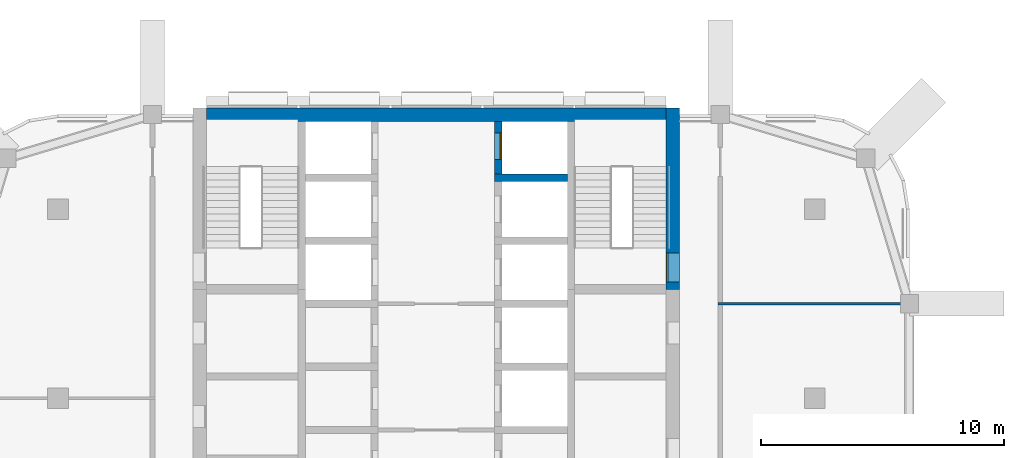
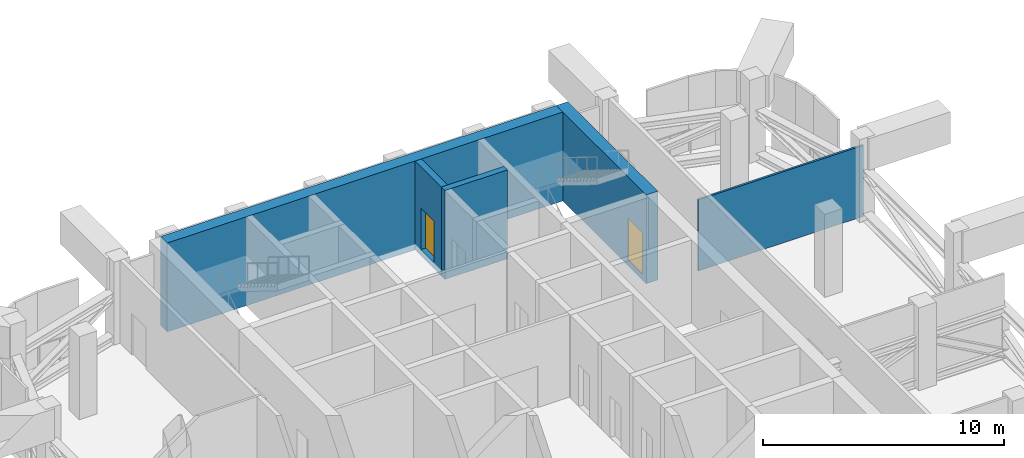
# One storey, part 8 of 13: 5 walls, 2 doors, 2 openings.
"""IFC4 building model written with IfcOpenShell, lengths in metres."""

from ifc_helpers import new_model, si_unit, direction, frame, frame_2d, origin, place, context, subcontext, project, spatial, rectangle, extrude, material, layer, layer_set, type_object, element, fill, save


model = new_model("IFC4")

# Units and contexts
model_context = context("Model", 3, precision=1e-05, world=origin(), true_north=direction((0.0, 1.0)))
body_context = subcontext(model_context, "Body", "Model", "MODEL_VIEW")
ifc_project = project(units=[si_unit("LENGTHUNIT", "METRE"), si_unit("AREAUNIT", "SQUARE_METRE"), si_unit("VOLUMEUNIT", "CUBIC_METRE"), si_unit("PLANEANGLEUNIT", "RADIAN"), si_unit("MASSUNIT", "GRAM", prefix="KILO")], contexts=[model_context])

# Site, building, storey
site_placement = place(None, origin())
site = spatial("IfcSite", under=ifc_project, at=site_placement, CompositionType="ELEMENT")
building_placement = place(site_placement, origin())
building = spatial("IfcBuilding", under=site, at=building_placement, Name="Ludao Terraces", CompositionType="ELEMENT")
storey_placement = place(building_placement, frame((0.0, 0.0, 192.800048828125)))
storey = spatial("IfcBuildingStorey", under=building, at=storey_placement, Name="L52", CompositionType="ELEMENT", Elevation=192.800048828125)

# Wall, opening, door
ifc_material_1 = material(Name="Concrete C60", Category="concrete")
ifc_layer_1 = layer(ifc_material_1, 0.550048828125)
ifc_layer_set_1 = layer_set([ifc_layer_1], Name="Core wall 550 C60")
wall_type_1 = type_object("IfcWallType", Name="Core wall 550 C60", PredefinedType="SOLIDWALL", material=ifc_layer_set_1)
wall_1_placement = place(storey_placement, frame((94.75, 77.300048828125, -0.300048828125), z_axis=(0.0, 0.0, 1.0), x_axis=(0.0, 1.0, 0.0)))
wall_1 = element("IfcWall", 1, at=wall_1_placement, inside=storey, type_object=wall_type_1, Name="Core wall L52 outer-E-S2", PredefinedType="SOLIDWALL", context=body_context, shape_type="SweptSolid", body=[
    extrude(rectangle(XDim=7.474853515625, YDim=0.550048828125, at=frame_2d((3.7373046875, 0.0))), origin(), (0.0, 0.0, 1.0), 4.5),
])
opening_1_placement = place(wall_1_placement, frame((0.300048828125, 0.0, 0.300048828125)))
opening_1 = element("IfcOpeningElement", 2, at=opening_1_placement, cuts=wall_1, Name="Opening L52-037", PredefinedType="OPENING", context=body_context, shape_type="SweptSolid", body=[
    extrude(rectangle(XDim=1.199951171875, YDim=2.10009765625, at=frame_2d((0.60009765625, 1.050048828125))), frame((0.0, 0.28515625, 0.0), z_axis=(0.0, -1.0, 0.0), x_axis=(1.0, 0.0, 0.0)), (0.0, 0.0, 1.0), 0.570068359375),
])
ifc_material_2 = material(Name="Steel Q235", Category="steel")
door_type_1 = type_object("IfcDoorType", Name="INT Stair door 1200", OperationType="DOUBLE_DOOR_SINGLE_SWING", PredefinedType="DOOR", material=ifc_material_2)
door_1_placement = place(opening_1_placement, origin())
door_1 = element("IfcDoor", 3, at=door_1_placement, inside=storey, type_object=door_type_1, Name="DOOR 037", OperationType="DOUBLE_DOOR_SINGLE_SWING", OverallHeight=2.10009765625, OverallWidth=1.199951171875, PredefinedType="DOOR", context=body_context, shape_type="SweptSolid", body=[
    extrude(rectangle(XDim=1.199951171875, YDim=2.10009765625, at=frame_2d((0.60009765625, 1.050048828125))), frame((0.0, 0.26025390625, 0.0), z_axis=(0.0, -1.0, 0.0), x_axis=(1.0, 0.0, 0.0)), (0.0, 0.0, 1.0), 0.050048828125),
])
fill(opening_1, door_1)

# Walls
wall_2_placement = place(storey_placement, frame((75.52490234375, 84.5, -0.300048828125), z_axis=(0.0, 0.0, 1.0), x_axis=(1.0, 0.0, 0.0)))
element("IfcWall", 4, at=wall_2_placement, inside=storey, type_object=wall_type_1, Name="Core wall L52 outer-N", PredefinedType="SOLIDWALL", context=body_context, shape_type="SweptSolid", body=[
    extrude(rectangle(XDim=18.9501953125, YDim=0.550048828125, at=frame_2d((9.47509765625, 0.0))), origin(), (0.0, 0.0, 1.0), 4.5),
])
ifc_material_3 = material(Name="Gypsum plasterboard", Category="gypsum")
ifc_layer_2 = layer(ifc_material_3, 0.012451171875, Category="gypsum")
ifc_material_4 = material(Name="Mineral wool")
ifc_layer_3 = layer(ifc_material_4, 0.06005859375, Name="insulation")
ifc_layer_4 = layer(ifc_material_2, 0.014892578125, Name="stud")
ifc_layer_5 = layer(ifc_material_3, 0.012451171875, Category="gypsum")
ifc_layer_set_2 = layer_set([ifc_layer_2, ifc_layer_3, ifc_layer_4, ifc_layer_5], Name="INT Partition 100")
wall_type_2 = type_object("IfcWallType", Name="INT Partition 100", PredefinedType="PARTITIONING", material=ifc_layer_set_2)
wall_3_placement = place(storey_placement, frame((96.60009765625, 76.699951171875, 0.0), z_axis=(0.0, 0.0, 1.0), x_axis=(1.0, 0.0, 0.0)))
element("IfcWall", 5, at=wall_3_placement, inside=storey, type_object=wall_type_2, Name="PW-L52-PW011", PredefinedType="PARTITIONING", context=body_context, shape_type="SweptSolid", body=[
    extrude(rectangle(XDim=7.89990234375, YDim=0.10009765625, at=frame_2d((3.949951171875, 0.0))), origin(), (0.0, 0.0, 1.0), 3.599853515625),
])
ifc_material_5 = material(Name="Concrete C55", Category="concrete")
ifc_layer_6 = layer(ifc_material_5, 0.300048828125)
ifc_layer_set_3 = layer_set([ifc_layer_6], Name="Shaft wall 300 C55")
wall_type_3 = type_object("IfcWallType", Name="Shaft wall 300 C55", PredefinedType="SOLIDWALL", material=ifc_layer_set_3)
wall_4_placement = place(storey_placement, frame((87.39990234375, 81.89990234375, -0.300048828125), z_axis=(0.0, 0.0, 1.0), x_axis=(1.0, 0.0, 0.0)))
element("IfcWall", 6, at=wall_4_placement, inside=storey, type_object=wall_type_3, Name="Core wall L52 div-E9", PredefinedType="SOLIDWALL", context=body_context, shape_type="SweptSolid", body=[
    extrude(rectangle(XDim=3.0, YDim=0.300048828125, at=frame_2d((1.5, 0.0))), origin(), (0.0, 0.0, 1.0), 4.5),
])

# Wall, opening, door
wall_5_placement = place(storey_placement, frame((87.550048828125, 82.050048828125, -0.300048828125), z_axis=(0.0, 0.0, 1.0), x_axis=(0.0, 1.0, 0.0)))
wall_5 = element("IfcWall", 7, at=wall_5_placement, inside=storey, type_object=wall_type_3, Name="Core wall L52 front-E9", PredefinedType="SOLIDWALL", context=body_context, shape_type="SweptSolid", body=[
    extrude(rectangle(XDim=2.175048828125, YDim=0.300048828125, at=frame_2d((1.08740234375, 0.0))), origin(), (0.0, 0.0, 1.0), 4.5),
])
opening_2_placement = place(wall_5_placement, frame((0.60009765625, 0.0, 0.300048828125)))
opening_2 = element("IfcOpeningElement", 8, at=opening_2_placement, cuts=wall_5, Name="Opening LD-LB5", PredefinedType="OPENING", context=body_context, shape_type="SweptSolid", body=[
    extrude(rectangle(XDim=1.10009765625, YDim=2.10009765625, at=frame_2d((0.550048828125, 1.050048828125))), frame((0.0, 0.16015625, 0.0), z_axis=(0.0, -1.0, 0.0), x_axis=(1.0, 0.0, 0.0)), (0.0, 0.0, 1.0), 0.320068359375),
])
ifc_material_6 = material(Name="Stainless steel 304", Category="steel")
door_type_2 = type_object("IfcDoorType", Name="INT Lift landing door 1100", OperationType="SLIDING_TO_LEFT", PredefinedType="DOOR", material=ifc_material_6)
door_2_placement = place(opening_2_placement, origin())
door_2 = element("IfcDoor", 9, at=door_2_placement, inside=storey, type_object=door_type_2, Name="LANDING DOOR LB5 L52", OperationType="SLIDING_TO_RIGHT", OverallHeight=2.10009765625, OverallWidth=1.10009765625, PredefinedType="DOOR", context=body_context, shape_type="SweptSolid", body=[
    extrude(rectangle(XDim=1.10009765625, YDim=2.10009765625, at=frame_2d((0.550048828125, 1.050048828125))), frame((0.0, -0.0849609375, 0.0), z_axis=(0.0, -1.0, 0.0), x_axis=(1.0, 0.0, 0.0)), (0.0, 0.0, 1.0), 0.050048828125),
])
fill(opening_2, door_2)

save(model, "model.ifc")
